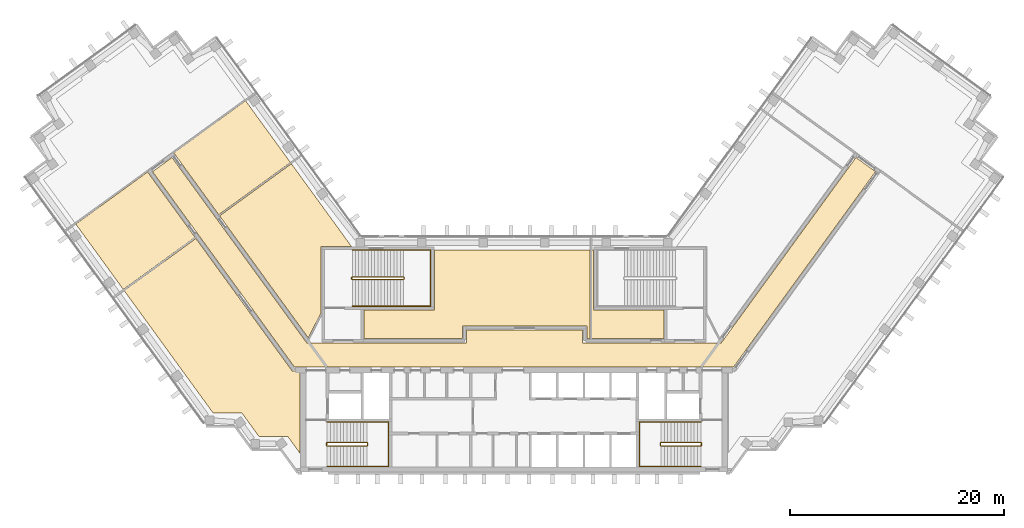
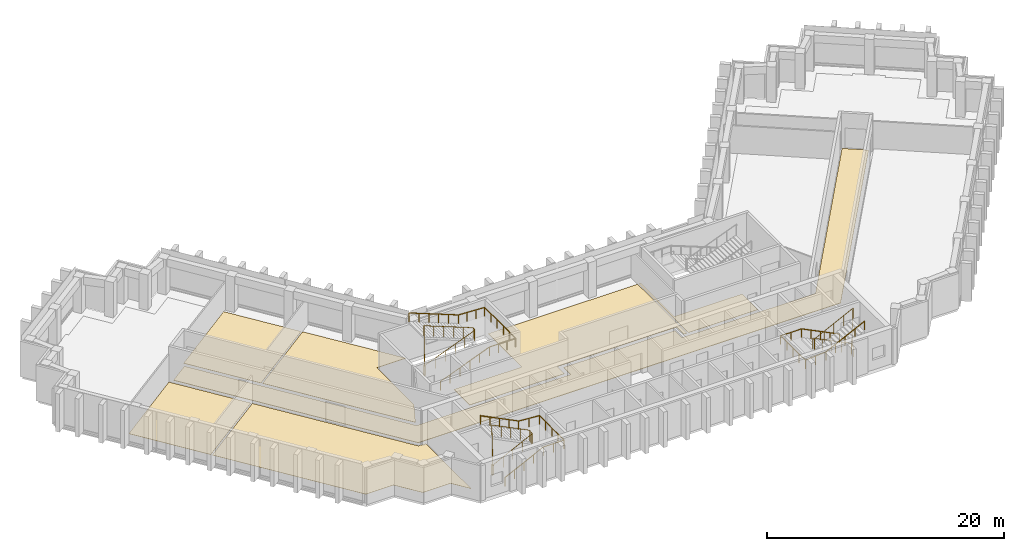
# One storey, part 9 of 10: 7 coverings, 6 railings.
"""IFC4 building model written with IfcOpenShell, lengths in metres."""

import ifcopenshell
import ifcopenshell.guid

model = None  # the IFC model being written
_history = None  # IfcOwnerHistory: only IFC2X3 demands one
_inside = {}  # id of a spatial element -> (the spatial element, [elements in it])
_under = {}  # id of a project, library or spatial element -> (it, [spatial elements below it])
_declared = {}  # id of a project -> (the project, [libraries it declares])
_typed = {}  # id of a type object -> (the type object, [elements of that type])
_made_of = {}  # id of a material, layer set ... -> (it, [elements and type objects made of it])


def new_model(schema):
    """Start an empty IFC model of exactly this schema.

    Asked for "IFC4X3", IfcOpenShell would pick the latest addendum, in which some entities
    have other attributes; the version numbers below select the first issue.
    IFC2X3 requires an IfcOwnerHistory on every rooted entity: one is made here for all.
    """
    global model, _history
    if schema == "IFC4X3":
        model = ifcopenshell.file(schema_version=(4, 3, 0, 0))
    else:
        model = ifcopenshell.file(schema=schema)
    _inside.clear()
    _under.clear()
    _declared.clear()
    _typed.clear()
    _made_of.clear()
    _history = None
    if model.schema == "IFC2X3":
        org = make("IfcOrganization", Name="unknown")
        user = make(
            "IfcPersonAndOrganization",
            ThePerson=make("IfcPerson", FamilyName="unknown"),
            TheOrganization=org,
        )
        app = make(
            "IfcApplication",
            ApplicationDeveloper=org,
            Version="unknown",
            ApplicationFullName="unknown",
            ApplicationIdentifier="unknown",
        )
        _history = make(
            "IfcOwnerHistory",
            OwningUser=user,
            OwningApplication=app,
            ChangeAction="ADDED",
            CreationDate=0,
        )
    return model


def make(cls, **values):
    """One entity of the class cls with the attributes given. An attribute that is None is left unset."""
    return model.create_entity(
        cls, **{name: value for name, value in values.items() if value is not None}
    )


def rooted(cls, **values):
    """An entity with a GlobalId (a new one), such as an element, a storey or a relation."""
    return make(cls, GlobalId=ifcopenshell.guid.new(), OwnerHistory=_history, **values)


def si_unit(unit_type, name, prefix=None):
    """IfcSIUnit, for example si_unit("LENGTHUNIT", "METRE", prefix="MILLI")."""
    return make("IfcSIUnit", UnitType=unit_type, Prefix=prefix, Name=name)


def assignment(units):
    """IfcUnitAssignment: the units of a project."""
    return None if units is None else make("IfcUnitAssignment", Units=units)


def point(xyz):
    """IfcCartesianPoint."""
    return None if xyz is None else make("IfcCartesianPoint", Coordinates=xyz)


def direction(xyz):
    """IfcDirection."""
    return None if xyz is None else make("IfcDirection", DirectionRatios=xyz)


def frame(location, z_axis=None, x_axis=None):
    """IfcAxis2Placement3D, a coordinate frame: its origin and axes. An axis left out is left unset."""
    return make(
        "IfcAxis2Placement3D",
        Location=point(location),
        Axis=direction(z_axis),
        RefDirection=direction(x_axis),
    )


def frame_2d(location, x_axis=None):
    """IfcAxis2Placement2D, a coordinate frame in the plane: its origin and x axis."""
    return make(
        "IfcAxis2Placement2D", Location=point(location), RefDirection=direction(x_axis)
    )


def origin():
    """The frame at (0, 0, 0) with its axes left unset."""
    return frame((0.0, 0.0, 0.0))


def origin_2d():
    """The frame at (0, 0) in the plane with its x axis left unset."""
    return frame_2d((0.0, 0.0))


def place(relative_to, where):
    """IfcLocalPlacement: puts the frame where relative to a parent placement (None: the world)."""
    return make(
        "IfcLocalPlacement", PlacementRelTo=relative_to, RelativePlacement=where
    )


def context(
    kind, dimensions, precision=None, world=None, true_north=None, identifier=None
):
    """IfcGeometricRepresentationContext, for example the 3D "Model" context."""
    return make(
        "IfcGeometricRepresentationContext",
        ContextIdentifier=identifier,
        ContextType=kind,
        CoordinateSpaceDimension=dimensions,
        Precision=precision,
        WorldCoordinateSystem=world,
        TrueNorth=true_north,
    )


def subcontext(parent, identifier, kind, view, scale=None):
    """IfcGeometricRepresentationSubContext, for example "Body" below "Model"."""
    return make(
        "IfcGeometricRepresentationSubContext",
        ContextIdentifier=identifier,
        ContextType=kind,
        ParentContext=parent,
        TargetScale=scale,
        TargetView=view,
    )


def project(units=None, contexts=None):
    """IfcProject with its units and contexts."""
    return rooted(
        "IfcProject",
        Name="project",
        RepresentationContexts=contexts,
        UnitsInContext=assignment(units),
    )


def spatial(cls, under=None, at=None, **own):
    """A site, building, storey or space (cls), placed at a placement, below another one or the project."""
    s = rooted(cls, ObjectPlacement=at, **own)
    if under is not None:
        _under.setdefault(under.id(), (under, []))[1].append(s)
    return s


def polyline(points):
    """IfcPolyline through the points."""
    return make("IfcPolyline", Points=[point(p) for p in points])


def profile(cls, at=None, kind="AREA", **sizes):
    """A parametric profile (cls). Its sizes go by their IFC names, for example OverallWidth=200.0."""
    return make(cls, ProfileType=kind, Position=at, **sizes)


def circle(**sizes):
    """IfcCircleProfileDef."""
    return profile("IfcCircleProfileDef", **sizes)


def outline(outer, holes=None, kind="AREA"):
    """IfcArbitraryClosedProfileDef: a profile drawn as a closed curve; with holes, ...WithVoids."""
    if holes is None:
        return make("IfcArbitraryClosedProfileDef", ProfileType=kind, OuterCurve=outer)
    return make(
        "IfcArbitraryProfileDefWithVoids",
        ProfileType=kind,
        OuterCurve=outer,
        InnerCurves=holes,
    )


def extrude(swept, where, along, depth):
    """IfcExtrudedAreaSolid: the profile swept, set in the frame where, extruded along a direction by depth."""
    return make(
        "IfcExtrudedAreaSolid",
        SweptArea=swept,
        Position=where,
        ExtrudedDirection=direction(along),
        Depth=depth,
    )


def shape(context_of_items, identifier, shape_type, items):
    """IfcShapeRepresentation: the items that make up one representation, for example the "Body"."""
    return make(
        "IfcShapeRepresentation",
        ContextOfItems=context_of_items,
        RepresentationIdentifier=identifier,
        RepresentationType=shape_type,
        Items=items,
    )


def material(Name=None, Category=None):
    """IfcMaterial."""
    return make("IfcMaterial", Name=Name, Category=Category)


def layer(
    of_material, thickness, ventilated=None, Name=None, Category=None, Priority=None
):
    """IfcMaterialLayer: one layer of a wall or slab, of a material (None: an air gap)."""
    return make(
        "IfcMaterialLayer",
        Material=of_material,
        LayerThickness=thickness,
        IsVentilated=ventilated,
        Name=Name,
        Category=Category,
        Priority=Priority,
    )


def layer_set(layers, Name=None):
    """IfcMaterialLayerSet."""
    return make("IfcMaterialLayerSet", MaterialLayers=layers, LayerSetName=Name)


def made_of(thing, what):
    """Note that an element or type object is made of a material, layer set ...; save() writes the relation."""
    if what is not None:
        _made_of.setdefault(what.id(), (what, []))[1].append(thing)
    return thing


def type_object(cls, material=None, **own):
    """A type object (cls), such as IfcWallType, which elements share."""
    return made_of(rooted(cls, **own), material)


def element(
    cls,
    number,
    at=None,
    inside=None,
    cuts=None,
    type_object=None,
    material=None,
    context=None,
    identifier="Body",
    shape_type=None,
    held_by="IfcProductDefinitionShape",
    body=None,
    shapes=None,
    **own,
):
    """One element of the class cls, such as IfcWall. Its Tag is "e" and its number.

    at: its placement. inside: the storey or other place that contains it. cuts: it is an
    opening in that element (IfcRelVoidsElement). A single representation is given by context,
    identifier, shape_type and body (its items); several are given by shapes. held_by: the class
    of the entity that holds the representations. save() writes the other relations.
    """
    e = rooted(cls, Tag="e%d" % number, ObjectPlacement=at, **own)
    if body is not None:
        shapes = [shape(context, identifier, shape_type, body)]
    if shapes is not None:
        e.Representation = make(held_by, Representations=shapes)
    if inside is not None:
        _inside.setdefault(inside.id(), (inside, []))[1].append(e)
    if cuts is not None:
        rooted(
            "IfcRelVoidsElement", RelatingBuildingElement=cuts, RelatedOpeningElement=e
        )
    if type_object is not None:
        _typed.setdefault(type_object.id(), (type_object, []))[1].append(e)
    return made_of(e, material)


def aggregate(whole, parts):
    """IfcRelAggregates: a whole, such as a stair, and the parts it consists of."""
    return rooted("IfcRelAggregates", RelatingObject=whole, RelatedObjects=parts)


def save(model, path):
    """Write the relations noted so far, then the file.

    IfcRelAggregates (storeys below a building ...), IfcRelContainedInSpatialStructure (elements
    in a storey), IfcRelDefinesByType, IfcRelAssociatesMaterial and IfcRelDeclares: one each for
    every whole, place, type object, material and project.
    """
    for whole, parts in _under.values():
        aggregate(whole, parts)
    for where, things in _inside.values():
        rooted(
            "IfcRelContainedInSpatialStructure",
            RelatedElements=things,
            RelatingStructure=where,
        )
    for kind, things in _typed.values():
        rooted("IfcRelDefinesByType", RelatedObjects=things, RelatingType=kind)
    for what, things in _made_of.values():
        rooted("IfcRelAssociatesMaterial", RelatedObjects=things, RelatingMaterial=what)
    for by, libraries in _declared.values():
        rooted("IfcRelDeclares", RelatingContext=by, RelatedDefinitions=libraries)
    model.write(path)


model = new_model("IFC4")

# Units and contexts
model_context = context("Model", 3, precision=1e-05, world=origin(), true_north=direction((0.0, 1.0)))
body_context = subcontext(model_context, "Body", "Model", "MODEL_VIEW")
ifc_project = project(units=[si_unit("LENGTHUNIT", "METRE"), si_unit("AREAUNIT", "SQUARE_METRE"), si_unit("VOLUMEUNIT", "CUBIC_METRE"), si_unit("PLANEANGLEUNIT", "RADIAN"), si_unit("MASSUNIT", "GRAM", prefix="KILO")], contexts=[model_context])

# Site, building, storey
site_placement = place(None, origin())
site = spatial("IfcSite", under=ifc_project, at=site_placement, CompositionType="ELEMENT")
building_placement = place(site_placement, origin())
building = spatial("IfcBuilding", under=site, at=building_placement, Name="Quipu Civic Tower", CompositionType="ELEMENT")
storey_placement = place(building_placement, frame((0.0, 0.0, 180.0)))
storey = spatial("IfcBuildingStorey", under=building, at=storey_placement, Name="L42", CompositionType="ELEMENT", Elevation=180.0)

# Coverings
ifc_material_1 = material(Name="Carpet tile on raised access floor")
ifc_layer_1 = layer(ifc_material_1, 0.02001953125)
ifc_layer_set_1 = layer_set([ifc_layer_1], Name="Carpet tile on raised access floor")
covering_type_1 = type_object("IfcCoveringType", Name="Carpet tile floor finish 20", PredefinedType="FLOORING", material=ifc_layer_set_1)
covering_1_placement = place(storey_placement, origin())
element("IfcCovering", 1, at=covering_1_placement, inside=storey, type_object=covering_type_1, Name="Carpet tile floor finish 20", PredefinedType="FLOORING", context=body_context, shape_type="SweptSolid", body=[
    extrude(outline(polyline([(7.26806640625, 1.52001953125), (7.26806640625, 9.830078125), (7.429931640625, 9.830078125), (7.429931640625, 4.180908203125), (14.030029296875, 4.179931640625), (14.030029296875, 1.52001953125), (7.26806640625, 1.52001953125)])), origin(), (0.0, 0.0, 1.0), 0.02001953125),
])
covering_2_placement = place(storey_placement, origin())
element("IfcCovering", 2, at=covering_2_placement, inside=storey, type_object=covering_type_1, Name="Carpet tile floor finish 20", PredefinedType="FLOORING", context=body_context, shape_type="SweptSolid", body=[
    extrude(outline(polyline([(-31.865966796875, 18.9189453125), (-25.14306640625, 23.802978515625), (-20.93798828125, 18.013916015625), (-27.660888671875, 13.1298828125), (-31.865966796875, 18.9189453125)])), origin(), (0.0, 0.0, 1.0), 0.02001953125),
])
covering_3_placement = place(storey_placement, origin())
element("IfcCovering", 3, at=covering_3_placement, inside=storey, type_object=covering_type_1, Name="Carpet tile floor finish 20", PredefinedType="FLOORING", context=body_context, shape_type="SweptSolid", body=[
    extrude(outline(polyline([(-14.030029296875, 1.52001953125), (-14.030029296875, 4.179931640625), (-7.429931640625, 4.180908203125), (-7.429931640625, 9.830078125), (7.1279296875, 9.830078125), (7.1279296875, 1.52001953125), (6.820068359375, 1.52001953125), (6.818115234375, 2.719970703125), (-4.818115234375, 2.719970703125), (-4.820068359375, 1.52001953125), (-14.030029296875, 1.52001953125)])), origin(), (0.0, 0.0, 1.0), 0.02001953125),
])
covering_4_placement = place(storey_placement, origin())
element("IfcCovering", 4, at=covering_4_placement, inside=storey, type_object=covering_type_1, Name="Carpet tile floor finish 20", PredefinedType="FLOORING", context=body_context, shape_type="SweptSolid", body=[
    extrude(outline(polyline([(-36.52001953125, 6.013916015625), (-29.7958984375, 10.89794921875), (-20.77490234375, -1.51904296875), (-20.070068359375, -1.52001953125), (-20.070068359375, -9.195068359375), (-21.196044921875, -7.64599609375), (-23.89501953125, -7.64599609375), (-25.48193359375, -5.4619140625), (-28.181884765625, -5.4609375), (-36.52001953125, 6.013916015625)])), origin(), (0.0, 0.0, 1.0), 0.02001953125),
])
ifc_material_2 = material(Name="Ceramic floor tile")
ifc_layer_2 = layer(ifc_material_2, 0.030029296875)
ifc_layer_set_2 = layer_set([ifc_layer_2], Name="Ceramic floor tile")
covering_type_2 = type_object("IfcCoveringType", Name="Ceramic tile floor finish 30", PredefinedType="FLOORING", material=ifc_layer_set_2)
covering_5_placement = place(storey_placement, origin())
element("IfcCovering", 5, at=covering_5_placement, inside=storey, type_object=covering_type_2, Name="Ceramic tile floor finish 30", PredefinedType="FLOORING", context=body_context, shape_type="SweptSolid", body=[
    extrude(outline(polyline([(-27.577880859375, 13.01708984375), (-20.85498046875, 17.90087890625), (-15.238037109375, 10.169921875), (-18.070068359375, 10.1689453125), (-18.070068359375, 3.94189453125), (-19.27197265625, 1.583984375), (-27.577880859375, 13.01708984375)])), origin(), (0.0, 0.0, 1.0), 0.030029296875),
])
covering_6_placement = place(storey_placement, origin())
element("IfcCovering", 6, at=covering_6_placement, inside=storey, type_object=covering_type_2, Name="Ceramic tile floor finish 30", PredefinedType="FLOORING", context=body_context, shape_type="SweptSolid", body=[
    extrude(outline(polyline([(-41.048095703125, 12.2470703125), (-34.324951171875, 17.131103515625), (-29.87890625, 11.010986328125), (-36.60302734375, 6.126953125), (-41.048095703125, 12.2470703125)])), origin(), (0.0, 0.0, 1.0), 0.030029296875),
])

# Railings
ifc_material_3 = material(Name="Stainless steel", Category="steel")
railing_type_1 = type_object("IfcRailingType", Name="Stair guard 1100", PredefinedType="GUARDRAIL", material=ifc_material_3)
railing_1_placement = place(storey_placement, frame((-17.5, -8.550048828125, 0.15380859375)))
element("IfcRailing", 7, at=railing_1_placement, inside=storey, type_object=railing_type_1, Name="Stair 1 guard", PredefinedType="GUARDRAIL", context=body_context, shape_type="SweptSolid", body=[
    extrude(circle(Radius=0.02392578125, at=origin_2d()), frame((0.0, 0.0, 1.076171875), z_axis=(0.895751851347, 0.0, 0.444554407028), x_axis=(0.0, 1.0, 0.0)), (0.0, 0.0, 1.0), 4.15283203125),
    extrude(circle(Radius=0.02392578125, at=origin_2d()), frame((3.719970703125, 0.0, 2.92236328125), z_axis=(0.707106781187, 0.707106781187, 0.0), x_axis=(-0.707106781187, 0.707106781187, 0.0)), (0.0, 0.0, 1.0), 0.07080078125),
    extrude(circle(Radius=0.02392578125, at=origin_2d()), frame((3.77001953125, 0.050048828125, 2.92236328125), z_axis=(0.0, 1.0, 0.0), x_axis=(-1.0, 0.0, 0.0)), (0.0, 0.0, 1.0), 0.25),
    extrude(circle(Radius=0.02392578125, at=origin_2d()), frame((3.77001953125, 0.300048828125, 2.92236328125), z_axis=(-0.295599637079, 0.295599637079, 0.908428152975), x_axis=(-0.707106781187, -0.707106781187, 0.0)), (0.0, 0.0, 1.0), 0.16943359375),
    extrude(circle(Radius=0.02392578125, at=origin_2d()), frame((3.719970703125, 0.35009765625, 3.076171875), z_axis=(-0.895751851347, 0.0, 0.444554407028), x_axis=(0.0, -1.0, 0.0)), (0.0, 0.0, 1.0), 4.15283203125),
    extrude(circle(Radius=0.02392578125, at=origin_2d()), frame((0.0, 0.35009765625, 4.92236328125), z_axis=(-0.012476181752, -0.074796231092, -0.997120789425), x_axis=(0.986372223864, -0.164529134168, 0.0)), (0.0, 0.0, 1.0), 4.011474609375),
    extrude(circle(Radius=0.02392578125, at=origin_2d()), frame((-0.050048828125, 0.050048828125, 0.92236328125), z_axis=(0.0, 1.0, 0.0), x_axis=(-1.0, 0.0, 0.0)), (0.0, 0.0, 1.0), 0.25),
    extrude(circle(Radius=0.02099609375, at=origin_2d()), origin(), (0.0, 0.0, 1.0), 1.052001953125),
    extrude(circle(Radius=0.02099609375, at=origin_2d()), frame((0.929931640625, 0.0, 0.46142578125)), (0.0, 0.0, 1.0), 1.052001953125),
    extrude(circle(Radius=0.02099609375, at=origin_2d()), frame((1.85986328125, 0.0, 0.923095703125)), (0.0, 0.0, 1.0), 1.052001953125),
    extrude(circle(Radius=0.02099609375, at=origin_2d()), frame((2.7900390625, 0.0, 1.384765625)), (0.0, 0.0, 1.0), 1.052001953125),
    extrude(circle(Radius=0.02099609375, at=origin_2d()), frame((3.719970703125, 0.0, 1.84619140625)), (0.0, 0.0, 1.0), 1.052001953125),
    extrude(circle(Radius=0.02099609375, at=origin_2d()), frame((3.77001953125, 0.050048828125, 1.84619140625)), (0.0, 0.0, 1.0), 1.052001953125),
    extrude(circle(Radius=0.02099609375, at=origin_2d()), frame((3.77001953125, 0.300048828125, 1.84619140625)), (0.0, 0.0, 1.0), 1.052001953125),
    extrude(circle(Radius=0.02099609375, at=origin_2d()), frame((3.719970703125, 0.35009765625, 2.0)), (0.0, 0.0, 1.0), 1.052001953125),
    extrude(circle(Radius=0.02099609375, at=origin_2d()), frame((2.7900390625, 0.35009765625, 2.46142578125)), (0.0, 0.0, 1.0), 1.052001953125),
    extrude(circle(Radius=0.02099609375, at=origin_2d()), frame((1.85986328125, 0.35009765625, 2.923095703125)), (0.0, 0.0, 1.0), 1.052001953125),
    extrude(circle(Radius=0.02099609375, at=origin_2d()), frame((0.929931640625, 0.35009765625, 3.384765625)), (0.0, 0.0, 1.0), 1.052001953125),
    extrude(circle(Radius=0.02099609375, at=origin_2d()), frame((0.0, 0.35009765625, 3.84619140625)), (0.0, 0.0, 1.0), 1.052001953125),
    extrude(circle(Radius=0.02099609375, at=origin_2d()), frame((-0.012451171875, 0.275146484375, 2.84619140625)), (0.0, 0.0, 1.0), 1.052001953125),
    extrude(circle(Radius=0.02099609375, at=origin_2d()), frame((-0.02490234375, 0.2001953125, 1.84619140625)), (0.0, 0.0, 1.0), 1.052001953125),
    extrude(circle(Radius=0.02099609375, at=origin_2d()), frame((-0.03759765625, 0.125, 0.84619140625)), (0.0, 0.0, 1.0), 1.052001953125),
    extrude(circle(Radius=0.02099609375, at=origin_2d()), frame((-0.050048828125, 0.050048828125, -0.15380859375)), (0.0, 0.0, 1.0), 1.052001953125),
    extrude(circle(Radius=0.02099609375, at=origin_2d()), frame((-0.050048828125, 0.300048828125, -0.15380859375)), (0.0, 0.0, 1.0), 1.052001953125),
])
railing_2_placement = place(storey_placement, frame((17.5, -8.199951171875, 0.15380859375)))
element("IfcRailing", 8, at=railing_2_placement, inside=storey, type_object=railing_type_1, Name="Stair 2 guard", PredefinedType="GUARDRAIL", context=body_context, shape_type="SweptSolid", body=[
    extrude(circle(Radius=0.02392578125, at=origin_2d()), frame((0.0, 0.0, 1.076171875), z_axis=(-0.895751851347, 0.0, 0.444554407028), x_axis=(0.0, -1.0, 0.0)), (0.0, 0.0, 1.0), 4.15283203125),
    extrude(circle(Radius=0.02392578125, at=origin_2d()), frame((-3.719970703125, 0.0, 2.92236328125), z_axis=(-0.707106781187, -0.707106781187, 0.0), x_axis=(0.707106781187, -0.707106781187, 0.0)), (0.0, 0.0, 1.0), 0.07080078125),
    extrude(circle(Radius=0.02392578125, at=origin_2d()), frame((-3.77001953125, -0.050048828125, 2.92236328125), z_axis=(0.0, -1.0, 0.0), x_axis=(1.0, 0.0, 0.0)), (0.0, 0.0, 1.0), 0.25),
    extrude(circle(Radius=0.02392578125, at=origin_2d()), frame((-3.77001953125, -0.300048828125, 2.92236328125), z_axis=(0.295599637079, -0.295599637079, 0.908428152975), x_axis=(0.707106781187, 0.707106781187, 0.0)), (0.0, 0.0, 1.0), 0.16943359375),
    extrude(circle(Radius=0.02392578125, at=origin_2d()), frame((-3.719970703125, -0.35009765625, 3.076171875), z_axis=(0.895751851347, 0.0, 0.444554407028), x_axis=(0.0, 1.0, 0.0)), (0.0, 0.0, 1.0), 4.15283203125),
    extrude(circle(Radius=0.02392578125, at=origin_2d()), frame((0.0, -0.35009765625, 4.92236328125), z_axis=(0.012476181752, 0.074796231092, -0.997120789425), x_axis=(-0.986372223864, 0.164529134168, 0.0)), (0.0, 0.0, 1.0), 4.011474609375),
    extrude(circle(Radius=0.02392578125, at=origin_2d()), frame((0.050048828125, -0.050048828125, 0.92236328125), z_axis=(0.0, -1.0, 0.0), x_axis=(1.0, 0.0, 0.0)), (0.0, 0.0, 1.0), 0.25),
    extrude(circle(Radius=0.02099609375, at=origin_2d()), origin(), (0.0, 0.0, 1.0), 1.052001953125),
    extrude(circle(Radius=0.02099609375, at=origin_2d()), frame((-0.929931640625, 0.0, 0.46142578125)), (0.0, 0.0, 1.0), 1.052001953125),
    extrude(circle(Radius=0.02099609375, at=origin_2d()), frame((-1.85986328125, 0.0, 0.923095703125)), (0.0, 0.0, 1.0), 1.052001953125),
    extrude(circle(Radius=0.02099609375, at=origin_2d()), frame((-2.7900390625, 0.0, 1.384765625)), (0.0, 0.0, 1.0), 1.052001953125),
    extrude(circle(Radius=0.02099609375, at=origin_2d()), frame((-3.719970703125, 0.0, 1.84619140625)), (0.0, 0.0, 1.0), 1.052001953125),
    extrude(circle(Radius=0.02099609375, at=origin_2d()), frame((-3.77001953125, -0.050048828125, 1.84619140625)), (0.0, 0.0, 1.0), 1.052001953125),
    extrude(circle(Radius=0.02099609375, at=origin_2d()), frame((-3.77001953125, -0.300048828125, 1.84619140625)), (0.0, 0.0, 1.0), 1.052001953125),
    extrude(circle(Radius=0.02099609375, at=origin_2d()), frame((-3.719970703125, -0.35009765625, 2.0)), (0.0, 0.0, 1.0), 1.052001953125),
    extrude(circle(Radius=0.02099609375, at=origin_2d()), frame((-2.7900390625, -0.35009765625, 2.46142578125)), (0.0, 0.0, 1.0), 1.052001953125),
    extrude(circle(Radius=0.02099609375, at=origin_2d()), frame((-1.85986328125, -0.35009765625, 2.923095703125)), (0.0, 0.0, 1.0), 1.052001953125),
    extrude(circle(Radius=0.02099609375, at=origin_2d()), frame((-0.929931640625, -0.35009765625, 3.384765625)), (0.0, 0.0, 1.0), 1.052001953125),
    extrude(circle(Radius=0.02099609375, at=origin_2d()), frame((0.0, -0.35009765625, 3.84619140625)), (0.0, 0.0, 1.0), 1.052001953125),
    extrude(circle(Radius=0.02099609375, at=origin_2d()), frame((0.012451171875, -0.275146484375, 2.84619140625)), (0.0, 0.0, 1.0), 1.052001953125),
    extrude(circle(Radius=0.02099609375, at=origin_2d()), frame((0.02490234375, -0.2001953125, 1.84619140625)), (0.0, 0.0, 1.0), 1.052001953125),
    extrude(circle(Radius=0.02099609375, at=origin_2d()), frame((0.03759765625, -0.125, 0.84619140625)), (0.0, 0.0, 1.0), 1.052001953125),
    extrude(circle(Radius=0.02099609375, at=origin_2d()), frame((0.050048828125, -0.050048828125, -0.15380859375)), (0.0, 0.0, 1.0), 1.052001953125),
    extrude(circle(Radius=0.02099609375, at=origin_2d()), frame((0.050048828125, -0.300048828125, -0.15380859375)), (0.0, 0.0, 1.0), 1.052001953125),
])
railing_3_placement = place(storey_placement, frame((-15.14990234375, 7.050048828125, 0.11767578125)))
element("IfcRailing", 9, at=railing_3_placement, inside=storey, type_object=railing_type_1, Name="Stair 3 guard", PredefinedType="GUARDRAIL", context=body_context, shape_type="SweptSolid", body=[
    extrude(circle(Radius=0.02392578125, at=origin_2d()), frame((0.0, 0.0, 1.076171875), z_axis=(0.930970042603, 0.0, 0.365095576219), x_axis=(0.0, 1.0, 0.0)), (0.0, 0.0, 1.0), 5.15576171875),
    extrude(circle(Radius=0.02392578125, at=origin_2d()), frame((4.7998046875, 0.0, 2.95849609375), z_axis=(0.707106781187, 0.707106781187, 0.0), x_axis=(-0.707106781187, 0.707106781187, 0.0)), (0.0, 0.0, 1.0), 0.07080078125),
    extrude(circle(Radius=0.02392578125, at=origin_2d()), frame((4.849853515625, 0.050048828125, 2.95849609375), z_axis=(0.0, 1.0, 0.0), x_axis=(-1.0, 0.0, 0.0)), (0.0, 0.0, 1.0), 0.14990234375),
    extrude(circle(Radius=0.02392578125, at=origin_2d()), frame((4.849853515625, 0.199951171875, 2.95849609375), z_axis=(-0.364463019033, 0.364463019033, 0.856932561824), x_axis=(-0.707106781187, -0.707106781187, 0.0)), (0.0, 0.0, 1.0), 0.13720703125),
    extrude(circle(Radius=0.02392578125, at=origin_2d()), frame((4.7998046875, 0.25, 3.076171875), z_axis=(-0.930970042603, 0.0, 0.365095576219), x_axis=(0.0, -1.0, 0.0)), (0.0, 0.0, 1.0), 5.15576171875),
    extrude(circle(Radius=0.02392578125, at=origin_2d()), frame((0.0, 0.25, 4.95849609375), z_axis=(-0.012495627992, -0.049921557685, -0.998674970829), x_axis=(0.970072785993, -0.242814311512, 0.0)), (0.0, 0.0, 1.0), 4.00537109375),
    extrude(circle(Radius=0.02392578125, at=origin_2d()), frame((-0.050048828125, 0.050048828125, 0.95849609375), z_axis=(0.0, 1.0, 0.0), x_axis=(-1.0, 0.0, 0.0)), (0.0, 0.0, 1.0), 0.14990234375),
    extrude(circle(Radius=0.02099609375, at=origin_2d()), origin(), (0.0, 0.0, 1.0), 1.052001953125),
    extrude(circle(Radius=0.02099609375, at=origin_2d()), frame((0.9599609375, 0.0, 0.37646484375)), (0.0, 0.0, 1.0), 1.052001953125),
    extrude(circle(Radius=0.02099609375, at=origin_2d()), frame((1.919921875, 0.0, 0.7529296875)), (0.0, 0.0, 1.0), 1.052001953125),
    extrude(circle(Radius=0.02099609375, at=origin_2d()), frame((2.8798828125, 0.0, 1.12939453125)), (0.0, 0.0, 1.0), 1.052001953125),
    extrude(circle(Radius=0.02099609375, at=origin_2d()), frame((3.83984375, 0.0, 1.505859375)), (0.0, 0.0, 1.0), 1.052001953125),
    extrude(circle(Radius=0.02099609375, at=origin_2d()), frame((4.7998046875, 0.0, 1.88232421875)), (0.0, 0.0, 1.0), 1.052001953125),
    extrude(circle(Radius=0.02099609375, at=origin_2d()), frame((4.849853515625, 0.050048828125, 1.88232421875)), (0.0, 0.0, 1.0), 1.052001953125),
    extrude(circle(Radius=0.02099609375, at=origin_2d()), frame((4.849853515625, 0.199951171875, 1.88232421875)), (0.0, 0.0, 1.0), 1.052001953125),
    extrude(circle(Radius=0.02099609375, at=origin_2d()), frame((4.7998046875, 0.25, 2.0)), (0.0, 0.0, 1.0), 1.052001953125),
    extrude(circle(Radius=0.02099609375, at=origin_2d()), frame((3.83984375, 0.25, 2.37646484375)), (0.0, 0.0, 1.0), 1.052001953125),
    extrude(circle(Radius=0.02099609375, at=origin_2d()), frame((2.8798828125, 0.25, 2.7529296875)), (0.0, 0.0, 1.0), 1.052001953125),
    extrude(circle(Radius=0.02099609375, at=origin_2d()), frame((1.919921875, 0.25, 3.12939453125)), (0.0, 0.0, 1.0), 1.052001953125),
    extrude(circle(Radius=0.02099609375, at=origin_2d()), frame((0.9599609375, 0.25, 3.505859375)), (0.0, 0.0, 1.0), 1.052001953125),
    extrude(circle(Radius=0.02099609375, at=origin_2d()), frame((0.0, 0.25, 3.88232421875)), (0.0, 0.0, 1.0), 1.052001953125),
    extrude(circle(Radius=0.02099609375, at=origin_2d()), frame((-0.012451171875, 0.199951171875, 2.88232421875)), (0.0, 0.0, 1.0), 1.052001953125),
    extrude(circle(Radius=0.02099609375, at=origin_2d()), frame((-0.02490234375, 0.14990234375, 1.88232421875)), (0.0, 0.0, 1.0), 1.052001953125),
    extrude(circle(Radius=0.02099609375, at=origin_2d()), frame((-0.03759765625, 0.10009765625, 0.88232421875)), (0.0, 0.0, 1.0), 1.052001953125),
    extrude(circle(Radius=0.02099609375, at=origin_2d()), frame((-0.050048828125, 0.050048828125, -0.11767578125)), (0.0, 0.0, 1.0), 1.052001953125),
    extrude(circle(Radius=0.02099609375, at=origin_2d()), frame((-0.050048828125, 0.199951171875, -0.11767578125)), (0.0, 0.0, 1.0), 1.052001953125),
])
ifc_material_4 = material(Name="Stainless steel", Category="steel")
railing_type_2 = type_object("IfcRailingType", Name="Stair handrail", PredefinedType="HANDRAIL", material=ifc_material_4)
railing_4_placement = place(storey_placement, frame((-17.5, -10.449951171875, 0.15380859375)))
element("IfcRailing", 10, at=railing_4_placement, inside=storey, type_object=railing_type_2, Name="Stair 1 handrail", PredefinedType="HANDRAIL", context=body_context, shape_type="SweptSolid", body=[
    extrude(circle(Radius=0.02392578125, at=origin_2d()), frame((0.0, 0.0, 0.8759765625), z_axis=(0.895751851347, 0.0, 0.444554407028), x_axis=(0.0, 1.0, 0.0)), (0.0, 0.0, 1.0), 4.15283203125),
    extrude(circle(Radius=0.02392578125, at=origin_2d()), frame((3.719970703125, 0.0, 2.72216796875), z_axis=(1.0, 0.0, 0.0), x_axis=(0.0, 1.0, 0.0)), (0.0, 0.0, 1.0), 2.030029296875),
    extrude(circle(Radius=0.02392578125, at=origin_2d()), frame((5.75, 0.0, 2.72216796875), z_axis=(0.0, 1.0, 0.0), x_axis=(-1.0, 0.0, 0.0)), (0.0, 0.0, 1.0), 4.14990234375),
    extrude(circle(Radius=0.02392578125, at=origin_2d()), frame((5.75, 4.14990234375, 2.72216796875), z_axis=(-0.997142003663, 0.0, 0.075550145798), x_axis=(0.0, -1.0, 0.0)), (0.0, 0.0, 1.0), 2.035888671875),
    extrude(circle(Radius=0.02392578125, at=origin_2d()), frame((3.719970703125, 4.14990234375, 2.8759765625), z_axis=(-0.895751851347, 0.0, 0.444554407028), x_axis=(0.0, -1.0, 0.0)), (0.0, 0.0, 1.0), 4.15283203125),
    extrude(circle(Radius=0.02099609375, at=origin_2d()), origin(), (0.0, 0.0, 1.0), 0.851806640625),
    extrude(circle(Radius=0.02099609375, at=origin_2d()), frame((0.929931640625, 0.0, 0.46142578125)), (0.0, 0.0, 1.0), 0.851806640625),
    extrude(circle(Radius=0.02099609375, at=origin_2d()), frame((1.85986328125, 0.0, 0.923095703125)), (0.0, 0.0, 1.0), 0.851806640625),
    extrude(circle(Radius=0.02099609375, at=origin_2d()), frame((2.7900390625, 0.0, 1.384765625)), (0.0, 0.0, 1.0), 0.851806640625),
    extrude(circle(Radius=0.02099609375, at=origin_2d()), frame((3.719970703125, 0.0, 1.84619140625)), (0.0, 0.0, 1.0), 0.851806640625),
    extrude(circle(Radius=0.02099609375, at=origin_2d()), frame((4.73486328125, 0.0, 1.84619140625)), (0.0, 0.0, 1.0), 0.851806640625),
    extrude(circle(Radius=0.02099609375, at=origin_2d()), frame((5.75, 0.0, 1.84619140625)), (0.0, 0.0, 1.0), 0.851806640625),
    extrude(circle(Radius=0.02099609375, at=origin_2d()), frame((5.75, 1.03759765625, 1.84619140625)), (0.0, 0.0, 1.0), 0.851806640625),
    extrude(circle(Radius=0.02099609375, at=origin_2d()), frame((5.75, 2.074951171875, 1.84619140625)), (0.0, 0.0, 1.0), 0.851806640625),
    extrude(circle(Radius=0.02099609375, at=origin_2d()), frame((5.75, 3.1123046875, 1.84619140625)), (0.0, 0.0, 1.0), 0.851806640625),
    extrude(circle(Radius=0.02099609375, at=origin_2d()), frame((5.75, 4.14990234375, 1.84619140625)), (0.0, 0.0, 1.0), 0.851806640625),
    extrude(circle(Radius=0.02099609375, at=origin_2d()), frame((4.73486328125, 4.14990234375, 1.923095703125)), (0.0, 0.0, 1.0), 0.851806640625),
    extrude(circle(Radius=0.02099609375, at=origin_2d()), frame((3.719970703125, 4.14990234375, 2.0)), (0.0, 0.0, 1.0), 0.851806640625),
    extrude(circle(Radius=0.02099609375, at=origin_2d()), frame((2.7900390625, 4.14990234375, 2.46142578125)), (0.0, 0.0, 1.0), 0.851806640625),
    extrude(circle(Radius=0.02099609375, at=origin_2d()), frame((1.85986328125, 4.14990234375, 2.923095703125)), (0.0, 0.0, 1.0), 0.851806640625),
    extrude(circle(Radius=0.02099609375, at=origin_2d()), frame((0.929931640625, 4.14990234375, 3.384765625)), (0.0, 0.0, 1.0), 0.851806640625),
    extrude(circle(Radius=0.02099609375, at=origin_2d()), frame((0.0, 4.14990234375, 3.84619140625)), (0.0, 0.0, 1.0), 0.851806640625),
])
railing_5_placement = place(storey_placement, frame((17.5, -6.300048828125, 0.15380859375)))
element("IfcRailing", 11, at=railing_5_placement, inside=storey, type_object=railing_type_2, Name="Stair 2 handrail", PredefinedType="HANDRAIL", context=body_context, shape_type="SweptSolid", body=[
    extrude(circle(Radius=0.02392578125, at=origin_2d()), frame((0.0, 0.0, 0.8759765625), z_axis=(-0.895751851347, 0.0, 0.444554407028), x_axis=(0.0, -1.0, 0.0)), (0.0, 0.0, 1.0), 4.15283203125),
    extrude(circle(Radius=0.02392578125, at=origin_2d()), frame((-3.719970703125, 0.0, 2.72216796875), z_axis=(-1.0, 0.0, 0.0), x_axis=(0.0, -1.0, 0.0)), (0.0, 0.0, 1.0), 2.030029296875),
    extrude(circle(Radius=0.02392578125, at=origin_2d()), frame((-5.75, 0.0, 2.72216796875), z_axis=(0.0, -1.0, 0.0), x_axis=(1.0, 0.0, 0.0)), (0.0, 0.0, 1.0), 4.14990234375),
    extrude(circle(Radius=0.02392578125, at=origin_2d()), frame((-5.75, -4.14990234375, 2.72216796875), z_axis=(0.997142003663, 0.0, 0.075550145798), x_axis=(0.0, 1.0, 0.0)), (0.0, 0.0, 1.0), 2.035888671875),
    extrude(circle(Radius=0.02392578125, at=origin_2d()), frame((-3.719970703125, -4.14990234375, 2.8759765625), z_axis=(0.895751851347, 0.0, 0.444554407028), x_axis=(0.0, 1.0, 0.0)), (0.0, 0.0, 1.0), 4.15283203125),
    extrude(circle(Radius=0.02099609375, at=origin_2d()), origin(), (0.0, 0.0, 1.0), 0.851806640625),
    extrude(circle(Radius=0.02099609375, at=origin_2d()), frame((-0.929931640625, 0.0, 0.46142578125)), (0.0, 0.0, 1.0), 0.851806640625),
    extrude(circle(Radius=0.02099609375, at=origin_2d()), frame((-1.85986328125, 0.0, 0.923095703125)), (0.0, 0.0, 1.0), 0.851806640625),
    extrude(circle(Radius=0.02099609375, at=origin_2d()), frame((-2.7900390625, 0.0, 1.384765625)), (0.0, 0.0, 1.0), 0.851806640625),
    extrude(circle(Radius=0.02099609375, at=origin_2d()), frame((-3.719970703125, 0.0, 1.84619140625)), (0.0, 0.0, 1.0), 0.851806640625),
    extrude(circle(Radius=0.02099609375, at=origin_2d()), frame((-4.73486328125, 0.0, 1.84619140625)), (0.0, 0.0, 1.0), 0.851806640625),
    extrude(circle(Radius=0.02099609375, at=origin_2d()), frame((-5.75, 0.0, 1.84619140625)), (0.0, 0.0, 1.0), 0.851806640625),
    extrude(circle(Radius=0.02099609375, at=origin_2d()), frame((-5.75, -1.03759765625, 1.84619140625)), (0.0, 0.0, 1.0), 0.851806640625),
    extrude(circle(Radius=0.02099609375, at=origin_2d()), frame((-5.75, -2.074951171875, 1.84619140625)), (0.0, 0.0, 1.0), 0.851806640625),
    extrude(circle(Radius=0.02099609375, at=origin_2d()), frame((-5.75, -3.1123046875, 1.84619140625)), (0.0, 0.0, 1.0), 0.851806640625),
    extrude(circle(Radius=0.02099609375, at=origin_2d()), frame((-5.75, -4.14990234375, 1.84619140625)), (0.0, 0.0, 1.0), 0.851806640625),
    extrude(circle(Radius=0.02099609375, at=origin_2d()), frame((-4.73486328125, -4.14990234375, 1.923095703125)), (0.0, 0.0, 1.0), 0.851806640625),
    extrude(circle(Radius=0.02099609375, at=origin_2d()), frame((-3.719970703125, -4.14990234375, 2.0)), (0.0, 0.0, 1.0), 0.851806640625),
    extrude(circle(Radius=0.02099609375, at=origin_2d()), frame((-2.7900390625, -4.14990234375, 2.46142578125)), (0.0, 0.0, 1.0), 0.851806640625),
    extrude(circle(Radius=0.02099609375, at=origin_2d()), frame((-1.85986328125, -4.14990234375, 2.923095703125)), (0.0, 0.0, 1.0), 0.851806640625),
    extrude(circle(Radius=0.02099609375, at=origin_2d()), frame((-0.929931640625, -4.14990234375, 3.384765625)), (0.0, 0.0, 1.0), 0.851806640625),
    extrude(circle(Radius=0.02099609375, at=origin_2d()), frame((0.0, -4.14990234375, 3.84619140625)), (0.0, 0.0, 1.0), 0.851806640625),
])
railing_6_placement = place(storey_placement, frame((-15.14990234375, 4.550048828125, 0.11767578125)))
element("IfcRailing", 12, at=railing_6_placement, inside=storey, type_object=railing_type_2, Name="Stair 3 handrail", PredefinedType="HANDRAIL", context=body_context, shape_type="SweptSolid", body=[
    extrude(circle(Radius=0.02392578125, at=origin_2d()), frame((0.0, 0.0, 0.8759765625), z_axis=(0.930970042603, 0.0, 0.365095576219), x_axis=(0.0, 1.0, 0.0)), (0.0, 0.0, 1.0), 5.15576171875),
    extrude(circle(Radius=0.02392578125, at=origin_2d()), frame((4.7998046875, 0.0, 2.75830078125), z_axis=(1.0, 0.0, 0.0), x_axis=(0.0, 1.0, 0.0)), (0.0, 0.0, 1.0), 2.550048828125),
    extrude(circle(Radius=0.02392578125, at=origin_2d()), frame((7.349853515625, 0.0, 2.75830078125), z_axis=(0.0, 1.0, 0.0), x_axis=(-1.0, 0.0, 0.0)), (0.0, 0.0, 1.0), 5.25),
    extrude(circle(Radius=0.02392578125, at=origin_2d()), frame((7.349853515625, 5.25, 2.75830078125), z_axis=(-0.998936948642, 0.0, 0.04609742549), x_axis=(0.0, -1.0, 0.0)), (0.0, 0.0, 1.0), 2.552734375),
    extrude(circle(Radius=0.02392578125, at=origin_2d()), frame((4.7998046875, 5.25, 2.8759765625), z_axis=(-0.930970042603, 0.0, 0.365095576219), x_axis=(0.0, -1.0, 0.0)), (0.0, 0.0, 1.0), 5.15576171875),
    extrude(circle(Radius=0.02099609375, at=origin_2d()), origin(), (0.0, 0.0, 1.0), 0.851806640625),
    extrude(circle(Radius=0.02099609375, at=origin_2d()), frame((0.9599609375, 0.0, 0.37646484375)), (0.0, 0.0, 1.0), 0.851806640625),
    extrude(circle(Radius=0.02099609375, at=origin_2d()), frame((1.919921875, 0.0, 0.7529296875)), (0.0, 0.0, 1.0), 0.851806640625),
    extrude(circle(Radius=0.02099609375, at=origin_2d()), frame((2.8798828125, 0.0, 1.12939453125)), (0.0, 0.0, 1.0), 0.851806640625),
    extrude(circle(Radius=0.02099609375, at=origin_2d()), frame((3.83984375, 0.0, 1.505859375)), (0.0, 0.0, 1.0), 0.851806640625),
    extrude(circle(Radius=0.02099609375, at=origin_2d()), frame((4.7998046875, 0.0, 1.88232421875)), (0.0, 0.0, 1.0), 0.851806640625),
    extrude(circle(Radius=0.02099609375, at=origin_2d()), frame((5.64990234375, 0.0, 1.88232421875)), (0.0, 0.0, 1.0), 0.851806640625),
    extrude(circle(Radius=0.02099609375, at=origin_2d()), frame((6.499755859375, 0.0, 1.88232421875)), (0.0, 0.0, 1.0), 0.851806640625),
    extrude(circle(Radius=0.02099609375, at=origin_2d()), frame((7.349853515625, 0.0, 1.88232421875)), (0.0, 0.0, 1.0), 0.851806640625),
    extrude(circle(Radius=0.02099609375, at=origin_2d()), frame((7.349853515625, 1.050048828125, 1.88232421875)), (0.0, 0.0, 1.0), 0.851806640625),
    extrude(circle(Radius=0.02099609375, at=origin_2d()), frame((7.349853515625, 2.10009765625, 1.88232421875)), (0.0, 0.0, 1.0), 0.851806640625),
    extrude(circle(Radius=0.02099609375, at=origin_2d()), frame((7.349853515625, 3.14990234375, 1.88232421875)), (0.0, 0.0, 1.0), 0.851806640625),
    extrude(circle(Radius=0.02099609375, at=origin_2d()), frame((7.349853515625, 4.199951171875, 1.88232421875)), (0.0, 0.0, 1.0), 0.851806640625),
    extrude(circle(Radius=0.02099609375, at=origin_2d()), frame((7.349853515625, 5.25, 1.88232421875)), (0.0, 0.0, 1.0), 0.851806640625),
    extrude(circle(Radius=0.02099609375, at=origin_2d()), frame((6.499755859375, 5.25, 1.921630859375)), (0.0, 0.0, 1.0), 0.851806640625),
    extrude(circle(Radius=0.02099609375, at=origin_2d()), frame((5.64990234375, 5.25, 1.960693359375)), (0.0, 0.0, 1.0), 0.851806640625),
    extrude(circle(Radius=0.02099609375, at=origin_2d()), frame((4.7998046875, 5.25, 2.0)), (0.0, 0.0, 1.0), 0.851806640625),
    extrude(circle(Radius=0.02099609375, at=origin_2d()), frame((3.83984375, 5.25, 2.37646484375)), (0.0, 0.0, 1.0), 0.851806640625),
    extrude(circle(Radius=0.02099609375, at=origin_2d()), frame((2.8798828125, 5.25, 2.7529296875)), (0.0, 0.0, 1.0), 0.851806640625),
    extrude(circle(Radius=0.02099609375, at=origin_2d()), frame((1.919921875, 5.25, 3.12939453125)), (0.0, 0.0, 1.0), 0.851806640625),
    extrude(circle(Radius=0.02099609375, at=origin_2d()), frame((0.9599609375, 5.25, 3.505859375)), (0.0, 0.0, 1.0), 0.851806640625),
    extrude(circle(Radius=0.02099609375, at=origin_2d()), frame((0.0, 5.25, 3.88232421875)), (0.0, 0.0, 1.0), 0.851806640625),
])

# Covering
ifc_material_5 = material(Name="Terrazzo floor finish")
ifc_layer_3 = layer(ifc_material_5, 0.0400390625)
ifc_layer_set_3 = layer_set([ifc_layer_3], Name="Terrazzo floor finish")
covering_type_3 = type_object("IfcCoveringType", Name="Terrazzo floor finish 40", PredefinedType="FLOORING", material=ifc_layer_set_3)
covering_7_placement = place(storey_placement, origin())
element("IfcCovering", 13, at=covering_7_placement, inside=storey, type_object=covering_type_3, Name="Terrazzo floor finish 40", PredefinedType="FLOORING", context=body_context, shape_type="SweptSolid", body=[
    extrude(outline(polyline([(19.425048828125, 1.1298828125), (32.033935546875, 18.487060546875), (33.863037109375, 17.158935546875), (20.574951171875, -1.1298828125), (-20.574951171875, -1.1298828125), (-33.863037109375, 17.158935546875), (-32.033935546875, 18.487060546875), (-19.425048828125, 1.1298828125), (-4.429931640625, 1.1298828125), (-4.429931640625, 2.330078125), (6.429931640625, 2.330078125), (6.429931640625, 1.1298828125), (19.425048828125, 1.1298828125)])), origin(), (0.0, 0.0, 1.0), 0.0400390625),
])

save(model, "model.ifc")
